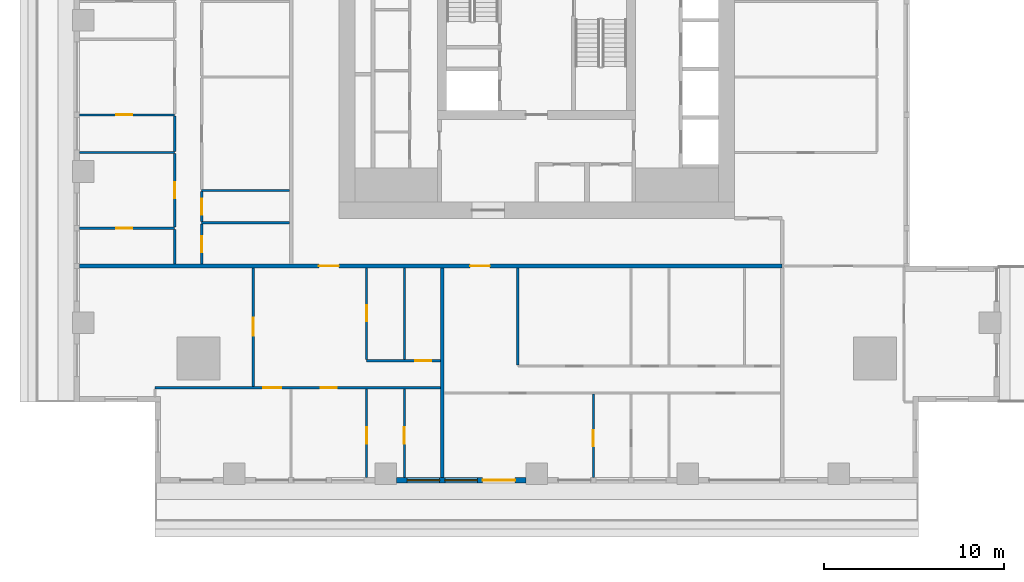
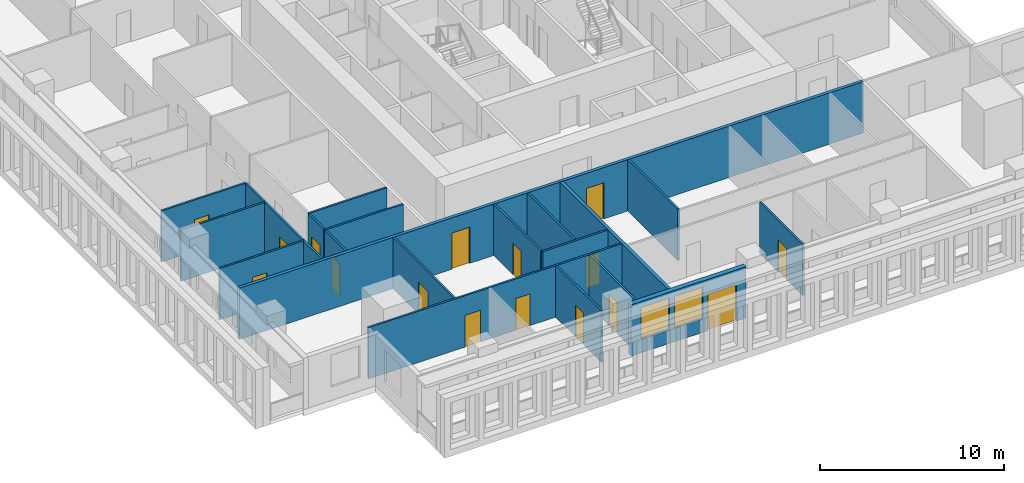
# One storey, part 2 of 15: 22 walls, 16 doors, 2 windows, 18 openings.
"""IFC4 building model written with IfcOpenShell, lengths in metres."""

from ifc_helpers import new_model, si_unit, direction, frame, frame_2d, origin, place, context, subcontext, project, spatial, rectangle, extrude, material, layer, layer_set, type_object, element, fill, save


model = new_model("IFC4")

# Units and contexts
model_context = context("Model", 3, precision=1e-05, world=origin(), true_north=direction((0.0, 1.0)))
body_context = subcontext(model_context, "Body", "Model", "MODEL_VIEW")
ifc_project = project(units=[si_unit("LENGTHUNIT", "METRE"), si_unit("AREAUNIT", "SQUARE_METRE"), si_unit("VOLUMEUNIT", "CUBIC_METRE"), si_unit("PLANEANGLEUNIT", "RADIAN"), si_unit("MASSUNIT", "GRAM", prefix="KILO")], contexts=[model_context])

# Site, building, storey
site_placement = place(None, origin())
site = spatial("IfcSite", under=ifc_project, at=site_placement, CompositionType="ELEMENT")
building_placement = place(site_placement, origin())
building = spatial("IfcBuilding", under=site, at=building_placement, Name="Khepri Terraces", CompositionType="ELEMENT")
storey_placement = place(building_placement, frame((0.0, 0.0, 231.300048828125)))
storey = spatial("IfcBuildingStorey", under=building, at=storey_placement, Name="L55", CompositionType="ELEMENT", Elevation=231.300048828125)

# Wall
ifc_material_1 = material(Name="Fire-rated gypsum plasterboard partition, mineral wool")
ifc_layer_1 = layer(ifc_material_1, 0.199951171875, Name="Fire-rated gypsum plasterboard partition, mineral wool")
ifc_layer_set_1 = layer_set([ifc_layer_1], Name="Fire-rated gypsum plasterboard partition, mineral wool")
wall_type_1 = type_object("IfcWallType", Name="WL-CORR-200", PredefinedType="PARTITIONING", material=ifc_layer_set_1)
wall_1_placement = place(storey_placement, frame((-5.25, -25.419921875, 0.0), z_axis=(0.0, 0.0, 1.0), x_axis=(0.0, 1.0, 0.0)))
element("IfcWall", 1, at=wall_1_placement, inside=storey, type_object=wall_type_1, Name="Partition P-004 L55", PredefinedType="PARTITIONING", context=body_context, shape_type="SweptSolid", body=[
    extrude(rectangle(XDim=11.669921875, YDim=0.199951171875, at=frame_2d((5.8349609375, 0.0))), origin(), (0.0, 0.0, 1.0), 3.39990234375),
])

# Wall, openings, doors
wall_2_placement = place(storey_placement, frame((-25.419921875, -13.64990234375, 0.0), z_axis=(0.0, 0.0, 1.0), x_axis=(1.0, 0.0, 0.0)))
wall_2 = element("IfcWall", 2, at=wall_2_placement, inside=storey, type_object=wall_type_1, Name="Partition P-024 L55", PredefinedType="PARTITIONING", context=body_context, shape_type="SweptSolid", body=[
    extrude(rectangle(XDim=39.06982421875, YDim=0.199951171875, at=frame_2d((19.534912109375, 0.0))), origin(), (0.0, 0.0, 1.0), 3.39990234375),
])
opening_1_placement = place(wall_2_placement, frame((13.320068359375, 0.0, 0.0)))
opening_1 = element("IfcOpeningElement", 3, at=opening_1_placement, cuts=wall_2, Name="Opening D1", PredefinedType="OPENING", context=body_context, shape_type="SweptSolid", body=[
    extrude(rectangle(XDim=1.10009765625, YDim=2.39990234375, at=frame_2d((0.550048828125, 1.199951171875))), frame((0.0, 0.10986328125, 0.0), z_axis=(0.0, -1.0, 0.0), x_axis=(1.0, 0.0, 0.0)), (0.0, 0.0, 1.0), 0.219970703125),
])
opening_2_placement = place(wall_2_placement, frame((21.719970703125, 0.0, 0.0)))
opening_2 = element("IfcOpeningElement", 4, at=opening_2_placement, cuts=wall_2, Name="Opening D1", PredefinedType="OPENING", context=body_context, shape_type="SweptSolid", body=[
    extrude(rectangle(XDim=1.10009765625, YDim=2.39990234375, at=frame_2d((0.550048828125, 1.199951171875))), frame((0.0, 0.10986328125, 0.0), z_axis=(0.0, -1.0, 0.0), x_axis=(1.0, 0.0, 0.0)), (0.0, 0.0, 1.0), 0.219970703125),
])
ifc_material_2 = material(Name="Solid-core timber door leaf, flat entrance door", Category="wood")
door_type_1 = type_object("IfcDoorType", Name="DR-ENT-1100", OperationType="NOTDEFINED", PredefinedType="DOOR", material=ifc_material_2)
door_1_placement = place(opening_1_placement, frame((1.10009765625, 0.0, 0.0), z_axis=(0.0, 0.0, 1.0), x_axis=(-1.0, 0.0, 0.0)))
door_1 = element("IfcDoor", 5, at=door_1_placement, inside=storey, type_object=door_type_1, Name="Flat A1 entrance door", OperationType="SINGLE_SWING_RIGHT", OverallHeight=2.39990234375, OverallWidth=1.10009765625, PredefinedType="DOOR", context=body_context, shape_type="SweptSolid", body=[
    extrude(rectangle(XDim=1.10009765625, YDim=2.39990234375, at=frame_2d((0.550048828125, 1.199951171875))), frame((0.0, 0.02490234375, 0.0), z_axis=(0.0, -1.0, 0.0), x_axis=(1.0, 0.0, 0.0)), (0.0, 0.0, 1.0), 0.050048828125),
])
fill(opening_1, door_1)
door_2_placement = place(opening_2_placement, frame((1.10009765625, 0.0, 0.0), z_axis=(0.0, 0.0, 1.0), x_axis=(-1.0, 0.0, 0.0)))
door_2 = element("IfcDoor", 6, at=door_2_placement, inside=storey, type_object=door_type_1, Name="Flat A2 entrance door", OperationType="SINGLE_SWING_LEFT", OverallHeight=2.39990234375, OverallWidth=1.10009765625, PredefinedType="DOOR", context=body_context, shape_type="SweptSolid", body=[
    extrude(rectangle(XDim=1.10009765625, YDim=2.39990234375, at=frame_2d((0.550048828125, 1.199951171875))), frame((0.0, 0.02490234375, 0.0), z_axis=(0.0, -1.0, 0.0), x_axis=(1.0, 0.0, 0.0)), (0.0, 0.0, 1.0), 0.050048828125),
])
fill(opening_2, door_2)

# Wall, openings, door, windows
ifc_material_3 = material(Name="Precast concrete C50/60 warm stone", Category="masonry")
ifc_layer_2 = layer(ifc_material_3, 0.300048828125, Name="Precast concrete C50/60 warm stone", Category="masonry")
ifc_layer_set_2 = layer_set([ifc_layer_2], Name="Precast concrete C50/60 warm stone")
wall_type_2 = type_object("IfcWallType", Name="WL-EXT-PRECAST-300", PredefinedType="STANDARD", material=ifc_layer_set_2)
wall_3_placement = place(storey_placement, frame((-7.800048828125, -25.570068359375, 0.0), z_axis=(0.0, 0.0, 1.0), x_axis=(1.0, 0.0, 0.0)))
wall_3 = element("IfcWall", 7, at=wall_3_placement, inside=storey, type_object=wall_type_2, Name="External wall L55 S", PredefinedType="STANDARD", context=body_context, shape_type="SweptSolid", body=[
    extrude(rectangle(XDim=7.199951171875, YDim=0.300048828125, at=frame_2d((3.60009765625, 0.0))), origin(), (0.0, 0.0, 1.0), 3.39990234375),
])
opening_3_placement = place(wall_3_placement, frame((0.60009765625, 0.0, 0.89990234375)))
opening_3 = element("IfcOpeningElement", 8, at=opening_3_placement, cuts=wall_3, Name="Opening W1", PredefinedType="OPENING", context=body_context, shape_type="SweptSolid", body=[
    extrude(rectangle(XDim=1.800048828125, YDim=2.10009765625, at=frame_2d((0.89990234375, 1.050048828125))), frame((0.0, 0.16015625, 0.0), z_axis=(0.0, -1.0, 0.0), x_axis=(1.0, 0.0, 0.0)), (0.0, 0.0, 1.0), 0.320068359375),
])
opening_4_placement = place(wall_3_placement, frame((2.699951171875, 0.0, 0.89990234375)))
opening_4 = element("IfcOpeningElement", 9, at=opening_4_placement, cuts=wall_3, Name="Opening W1", PredefinedType="OPENING", context=body_context, shape_type="SweptSolid", body=[
    extrude(rectangle(XDim=1.800048828125, YDim=2.10009765625, at=frame_2d((0.89990234375, 1.050048828125))), frame((0.0, 0.16015625, 0.0), z_axis=(0.0, -1.0, 0.0), x_axis=(1.0, 0.0, 0.0)), (0.0, 0.0, 1.0), 0.320068359375),
])
opening_5_placement = place(wall_3_placement, frame((4.800048828125, 0.0, 0.0)))
opening_5 = element("IfcOpeningElement", 10, at=opening_5_placement, cuts=wall_3, Name="Opening ED-L55-14", PredefinedType="OPENING", context=body_context, shape_type="SweptSolid", body=[
    extrude(rectangle(XDim=1.800048828125, YDim=2.39990234375, at=frame_2d((0.89990234375, 1.199951171875))), frame((0.0, 0.16015625, 0.0), z_axis=(0.0, -1.0, 0.0), x_axis=(1.0, 0.0, 0.0)), (0.0, 0.0, 1.0), 0.320068359375),
])
ifc_material_4 = material(Name="Anodised aluminium bronze glazed door", Category="aluminium")
door_type_2 = type_object("IfcDoorType", Name="DR-BAL-SLIDE-1800x2400", OperationType="NOTDEFINED", PredefinedType="DOOR", material=ifc_material_4)
door_3_placement = place(opening_5_placement, origin())
door_3 = element("IfcDoor", 11, at=door_3_placement, inside=storey, type_object=door_type_2, Name="Balcony door L55 S", OperationType="SLIDING_TO_RIGHT", OverallHeight=2.39990234375, OverallWidth=1.800048828125, PredefinedType="DOOR", context=body_context, shape_type="SweptSolid", body=[
    extrude(rectangle(XDim=1.800048828125, YDim=2.39990234375, at=frame_2d((0.89990234375, 1.199951171875))), frame((0.0, 0.02490234375, 0.0), z_axis=(0.0, -1.0, 0.0), x_axis=(1.0, 0.0, 0.0)), (0.0, 0.0, 1.0), 0.050048828125),
])
fill(opening_5, door_3)
ifc_material_5 = material(Name="Clear glass", Category="glass")
window_type = type_object("IfcWindowType", Name="WIN-RES-1800x2100", PartitioningType="SINGLE_PANEL", PredefinedType="WINDOW", material=ifc_material_5)
window_1_placement = place(opening_3_placement, origin())
window_1 = element("IfcWindow", 12, at=window_1_placement, inside=storey, type_object=window_type, Name="Window L55 S", OverallHeight=2.10009765625, OverallWidth=1.800048828125, PartitioningType="SINGLE_PANEL", PredefinedType="WINDOW", context=body_context, shape_type="SweptSolid", body=[
    extrude(rectangle(XDim=1.800048828125, YDim=2.10009765625, at=frame_2d((0.89990234375, 1.050048828125))), frame((0.0, 0.030029296875, 0.0), z_axis=(0.0, -1.0, 0.0), x_axis=(1.0, 0.0, 0.0)), (0.0, 0.0, 1.0), 0.06005859375),
])
fill(opening_3, window_1)
window_2_placement = place(opening_4_placement, origin())
window_2 = element("IfcWindow", 13, at=window_2_placement, inside=storey, type_object=window_type, Name="Window L55 S", OverallHeight=2.10009765625, OverallWidth=1.800048828125, PartitioningType="SINGLE_PANEL", PredefinedType="WINDOW", context=body_context, shape_type="SweptSolid", body=[
    extrude(rectangle(XDim=1.800048828125, YDim=2.10009765625, at=frame_2d((0.89990234375, 1.050048828125))), frame((0.0, 0.030029296875, 0.0), z_axis=(0.0, -1.0, 0.0), x_axis=(1.0, 0.0, 0.0)), (0.0, 0.0, 1.0), 0.06005859375),
])
fill(opening_4, window_2)

# Wall, opening, door
ifc_material_6 = material(Name="Gypsum plasterboard partition")
ifc_layer_3 = layer(ifc_material_6, 0.1201171875, Name="Gypsum plasterboard partition")
ifc_layer_set_3 = layer_set([ifc_layer_3], Name="Gypsum plasterboard partition")
wall_type_3 = type_object("IfcWallType", Name="WL-PART-120", PredefinedType="PARTITIONING", material=ifc_layer_set_3)
wall_4_placement = place(storey_placement, frame((-9.449951171875, -25.419921875, 0.0), z_axis=(0.0, 0.0, 1.0), x_axis=(0.0, 1.0, 0.0)))
wall_4 = element("IfcWall", 14, at=wall_4_placement, inside=storey, type_object=wall_type_3, Name="Partition P-002 L55", PredefinedType="PARTITIONING", context=body_context, shape_type="SweptSolid", body=[
    extrude(rectangle(XDim=4.93994140625, YDim=0.1201171875, at=frame_2d((2.469970703125, 0.0))), origin(), (0.0, 0.0, 1.0), 3.39990234375),
])
opening_6_placement = place(wall_4_placement, frame((1.89990234375, 0.0, 0.0)))
opening_6 = element("IfcOpeningElement", 15, at=opening_6_placement, cuts=wall_4, Name="Opening D3", PredefinedType="OPENING", context=body_context, shape_type="SweptSolid", body=[
    extrude(rectangle(XDim=0.89990234375, YDim=2.10009765625, at=frame_2d((0.449951171875, 1.050048828125))), frame((0.0, 0.070068359375, 0.0), z_axis=(0.0, -1.0, 0.0), x_axis=(1.0, 0.0, 0.0)), (0.0, 0.0, 1.0), 0.14013671875),
])
ifc_material_7 = material(Name="Timber door leaf", Category="wood")
door_type_3 = type_object("IfcDoorType", Name="DR-INT-900", OperationType="NOTDEFINED", PredefinedType="DOOR", material=ifc_material_7)
door_4_placement = place(opening_6_placement, frame((0.89990234375, 0.0, 0.0), z_axis=(0.0, 0.0, 1.0), x_axis=(-1.0, 0.0, 0.0)))
door_4 = element("IfcDoor", 16, at=door_4_placement, inside=storey, type_object=door_type_3, Name="Door Dressing Room", OperationType="SINGLE_SWING_RIGHT", OverallHeight=2.10009765625, OverallWidth=0.89990234375, PredefinedType="DOOR", context=body_context, shape_type="SweptSolid", body=[
    extrude(rectangle(XDim=0.89990234375, YDim=2.10009765625, at=frame_2d((0.449951171875, 1.050048828125))), frame((0.0, 0.02490234375, 0.0), z_axis=(0.0, -1.0, 0.0), x_axis=(1.0, 0.0, 0.0)), (0.0, 0.0, 1.0), 0.050048828125),
])
fill(opening_6, door_4)

wall_5_placement = place(storey_placement, frame((-7.35009765625, -25.419921875, 0.0), z_axis=(0.0, 0.0, 1.0), x_axis=(0.0, 1.0, 0.0)))
wall_5 = element("IfcWall", 17, at=wall_5_placement, inside=storey, type_object=wall_type_3, Name="Partition P-003 L55", PredefinedType="PARTITIONING", context=body_context, shape_type="SweptSolid", body=[
    extrude(rectangle(XDim=4.93994140625, YDim=0.1201171875, at=frame_2d((2.469970703125, 0.0))), origin(), (0.0, 0.0, 1.0), 3.39990234375),
])
opening_7_placement = place(wall_5_placement, frame((1.89990234375, 0.0, 0.0)))
opening_7 = element("IfcOpeningElement", 18, at=opening_7_placement, cuts=wall_5, Name="Opening D4", PredefinedType="OPENING", context=body_context, shape_type="SweptSolid", body=[
    extrude(rectangle(XDim=0.89990234375, YDim=2.10009765625, at=frame_2d((0.449951171875, 1.050048828125))), frame((0.0, 0.070068359375, 0.0), z_axis=(0.0, -1.0, 0.0), x_axis=(1.0, 0.0, 0.0)), (0.0, 0.0, 1.0), 0.14013671875),
])
ifc_material_8 = material(Name="Timber door leaf, moisture resistant", Category="wood")
door_type_4 = type_object("IfcDoorType", Name="DR-WET-900", OperationType="NOTDEFINED", PredefinedType="DOOR", material=ifc_material_8)
door_5_placement = place(opening_7_placement, frame((0.89990234375, 0.0, 0.0), z_axis=(0.0, 0.0, 1.0), x_axis=(-1.0, 0.0, 0.0)))
door_5 = element("IfcDoor", 19, at=door_5_placement, inside=storey, type_object=door_type_4, Name="Door Bathroom", OperationType="SINGLE_SWING_RIGHT", OverallHeight=2.10009765625, OverallWidth=0.89990234375, PredefinedType="DOOR", context=body_context, shape_type="SweptSolid", body=[
    extrude(rectangle(XDim=0.89990234375, YDim=2.10009765625, at=frame_2d((0.449951171875, 1.050048828125))), frame((0.0, 0.02490234375, 0.0), z_axis=(0.0, -1.0, 0.0), x_axis=(1.0, 0.0, 0.0)), (0.0, 0.0, 1.0), 0.050048828125),
])
fill(opening_7, door_5)

wall_6_placement = place(storey_placement, frame((3.14990234375, -25.419921875, 0.0), z_axis=(0.0, 0.0, 1.0), x_axis=(0.0, 1.0, 0.0)))
wall_6 = element("IfcWall", 20, at=wall_6_placement, inside=storey, type_object=wall_type_3, Name="Partition P-005 L55", PredefinedType="PARTITIONING", context=body_context, shape_type="SweptSolid", body=[
    extrude(rectangle(XDim=4.639892578125, YDim=0.1201171875, at=frame_2d((2.31982421875, 0.0))), origin(), (0.0, 0.0, 1.0), 3.39990234375),
])
opening_8_placement = place(wall_6_placement, frame((1.75, 0.0, 0.0)))
opening_8 = element("IfcOpeningElement", 21, at=opening_8_placement, cuts=wall_6, Name="Opening D3", PredefinedType="OPENING", context=body_context, shape_type="SweptSolid", body=[
    extrude(rectangle(XDim=0.89990234375, YDim=2.10009765625, at=frame_2d((0.449951171875, 1.050048828125))), frame((0.0, 0.070068359375, 0.0), z_axis=(0.0, -1.0, 0.0), x_axis=(1.0, 0.0, 0.0)), (0.0, 0.0, 1.0), 0.14013671875),
])
door_6_placement = place(opening_8_placement, frame((0.89990234375, 0.0, 0.0), z_axis=(0.0, 0.0, 1.0), x_axis=(-1.0, 0.0, 0.0)))
door_6 = element("IfcDoor", 22, at=door_6_placement, inside=storey, type_object=door_type_3, Name="Door Dressing Room", OperationType="SINGLE_SWING_RIGHT", OverallHeight=2.10009765625, OverallWidth=0.89990234375, PredefinedType="DOOR", context=body_context, shape_type="SweptSolid", body=[
    extrude(rectangle(XDim=0.89990234375, YDim=2.10009765625, at=frame_2d((0.449951171875, 1.050048828125))), frame((0.0, 0.02490234375, 0.0), z_axis=(0.0, -1.0, 0.0), x_axis=(1.0, 0.0, 0.0)), (0.0, 0.0, 1.0), 0.050048828125),
])
fill(opening_8, door_6)

# Wall, openings, doors
wall_7_placement = place(storey_placement, frame((-21.218994140625, -20.419921875, 0.0), z_axis=(0.0, 0.0, 1.0), x_axis=(1.0, 0.0, 0.0)))
wall_7 = element("IfcWall", 23, at=wall_7_placement, inside=storey, type_object=wall_type_3, Name="Partition P-013 L55", PredefinedType="PARTITIONING", context=body_context, shape_type="SweptSolid", body=[
    extrude(rectangle(XDim=15.868896484375, YDim=0.1201171875, at=frame_2d((7.9345703125, 0.0))), origin(), (0.0, 0.0, 1.0), 3.39990234375),
])
opening_9_placement = place(wall_7_placement, frame((6.01904296875, 0.0, 0.0)))
opening_9 = element("IfcOpeningElement", 24, at=opening_9_placement, cuts=wall_7, Name="Opening D2", PredefinedType="OPENING", context=body_context, shape_type="SweptSolid", body=[
    extrude(rectangle(XDim=1.0, YDim=2.10009765625, at=frame_2d((0.5, 1.050048828125))), frame((0.0, 0.070068359375, 0.0), z_axis=(0.0, -1.0, 0.0), x_axis=(1.0, 0.0, 0.0)), (0.0, 0.0, 1.0), 0.14013671875),
])
opening_10_placement = place(wall_7_placement, frame((9.218994140625, 0.0, 0.0)))
opening_10 = element("IfcOpeningElement", 25, at=opening_10_placement, cuts=wall_7, Name="Opening D3", PredefinedType="OPENING", context=body_context, shape_type="SweptSolid", body=[
    extrude(rectangle(XDim=0.89990234375, YDim=2.10009765625, at=frame_2d((0.449951171875, 1.050048828125))), frame((0.0, 0.070068359375, 0.0), z_axis=(0.0, -1.0, 0.0), x_axis=(1.0, 0.0, 0.0)), (0.0, 0.0, 1.0), 0.14013671875),
])
ifc_material_9 = material(Name="Timber door leaf, living room door", Category="wood")
door_type_5 = type_object("IfcDoorType", Name="DR-INT-1000", OperationType="NOTDEFINED", PredefinedType="DOOR", material=ifc_material_9)
door_7_placement = place(opening_9_placement, frame((1.0, 0.0, 0.0), z_axis=(0.0, 0.0, 1.0), x_axis=(-1.0, 0.0, 0.0)))
door_7 = element("IfcDoor", 26, at=door_7_placement, inside=storey, type_object=door_type_5, Name="Door Living Room", OperationType="SINGLE_SWING_RIGHT", OverallHeight=2.10009765625, OverallWidth=1.0, PredefinedType="DOOR", context=body_context, shape_type="SweptSolid", body=[
    extrude(rectangle(XDim=1.0, YDim=2.10009765625, at=frame_2d((0.5, 1.050048828125))), frame((0.0, 0.02490234375, 0.0), z_axis=(0.0, -1.0, 0.0), x_axis=(1.0, 0.0, 0.0)), (0.0, 0.0, 1.0), 0.050048828125),
])
fill(opening_9, door_7)
door_8_placement = place(opening_10_placement, frame((0.89990234375, 0.0, 0.0), z_axis=(0.0, 0.0, 1.0), x_axis=(-1.0, 0.0, 0.0)))
door_8 = element("IfcDoor", 27, at=door_8_placement, inside=storey, type_object=door_type_3, Name="Door Master Bedroom", OperationType="SINGLE_SWING_LEFT", OverallHeight=2.10009765625, OverallWidth=0.89990234375, PredefinedType="DOOR", context=body_context, shape_type="SweptSolid", body=[
    extrude(rectangle(XDim=0.89990234375, YDim=2.10009765625, at=frame_2d((0.449951171875, 1.050048828125))), frame((0.0, 0.02490234375, 0.0), z_axis=(0.0, -1.0, 0.0), x_axis=(1.0, 0.0, 0.0)), (0.0, 0.0, 1.0), 0.050048828125),
])
fill(opening_10, door_8)

# Wall, opening, door
wall_8_placement = place(storey_placement, frame((-15.75, -20.360107421875, 0.0), z_axis=(0.0, 0.0, 1.0), x_axis=(0.0, 1.0, 0.0)))
wall_8 = element("IfcWall", 28, at=wall_8_placement, inside=storey, type_object=wall_type_3, Name="Partition P-014 L55", PredefinedType="PARTITIONING", context=body_context, shape_type="SweptSolid", body=[
    extrude(rectangle(XDim=6.610107421875, YDim=0.1201171875, at=frame_2d((3.30517578125, 0.0))), origin(), (0.0, 0.0, 1.0), 3.39990234375),
])
opening_11_placement = place(wall_8_placement, frame((2.824951171875, 0.0, 0.0)))
opening_11 = element("IfcOpeningElement", 29, at=opening_11_placement, cuts=wall_8, Name="Opening D2", PredefinedType="OPENING", context=body_context, shape_type="SweptSolid", body=[
    extrude(rectangle(XDim=1.0, YDim=2.10009765625, at=frame_2d((0.5, 1.050048828125))), frame((0.0, 0.070068359375, 0.0), z_axis=(0.0, -1.0, 0.0), x_axis=(1.0, 0.0, 0.0)), (0.0, 0.0, 1.0), 0.14013671875),
])
door_9_placement = place(opening_11_placement, origin())
door_9 = element("IfcDoor", 30, at=door_9_placement, inside=storey, type_object=door_type_5, Name="Door Family Room", OperationType="SINGLE_SWING_RIGHT", OverallHeight=2.10009765625, OverallWidth=1.0, PredefinedType="DOOR", context=body_context, shape_type="SweptSolid", body=[
    extrude(rectangle(XDim=1.0, YDim=2.10009765625, at=frame_2d((0.5, 1.050048828125))), frame((0.0, 0.02490234375, 0.0), z_axis=(0.0, -1.0, 0.0), x_axis=(1.0, 0.0, 0.0)), (0.0, 0.0, 1.0), 0.050048828125),
])
fill(opening_11, door_9)

# Wall
wall_9_placement = place(storey_placement, frame((-1.050048828125, -19.159912109375, 0.0), z_axis=(0.0, 0.0, 1.0), x_axis=(0.0, 1.0, 0.0)))
element("IfcWall", 31, at=wall_9_placement, inside=storey, type_object=wall_type_3, Name="Partition P-016 L55", PredefinedType="PARTITIONING", context=body_context, shape_type="SweptSolid", body=[
    extrude(rectangle(XDim=5.409912109375, YDim=0.1201171875, at=frame_2d((2.705078125, 0.0))), origin(), (0.0, 0.0, 1.0), 3.39990234375),
])

# Wall, opening, door
wall_10_placement = place(storey_placement, frame((-9.449951171875, -18.919921875, 0.0), z_axis=(0.0, 0.0, 1.0), x_axis=(1.0, 0.0, 0.0)))
wall_10 = element("IfcWall", 32, at=wall_10_placement, inside=storey, type_object=wall_type_3, Name="Partition P-020 L55", PredefinedType="PARTITIONING", context=body_context, shape_type="SweptSolid", body=[
    extrude(rectangle(XDim=4.099853515625, YDim=0.1201171875, at=frame_2d((2.0498046875, 0.0))), origin(), (0.0, 0.0, 1.0), 3.39990234375),
])
opening_12_placement = place(wall_10_placement, frame((2.699951171875, 0.0, 0.0)))
opening_12 = element("IfcOpeningElement", 33, at=opening_12_placement, cuts=wall_10, Name="Opening D3", PredefinedType="OPENING", context=body_context, shape_type="SweptSolid", body=[
    extrude(rectangle(XDim=0.89990234375, YDim=2.10009765625, at=frame_2d((0.449951171875, 1.050048828125))), frame((0.0, 0.070068359375, 0.0), z_axis=(0.0, -1.0, 0.0), x_axis=(1.0, 0.0, 0.0)), (0.0, 0.0, 1.0), 0.14013671875),
])
door_10_placement = place(opening_12_placement, origin())
door_10 = element("IfcDoor", 34, at=door_10_placement, inside=storey, type_object=door_type_3, Name="Door Kitchen", OperationType="SINGLE_SWING_RIGHT", OverallHeight=2.10009765625, OverallWidth=0.89990234375, PredefinedType="DOOR", context=body_context, shape_type="SweptSolid", body=[
    extrude(rectangle(XDim=0.89990234375, YDim=2.10009765625, at=frame_2d((0.449951171875, 1.050048828125))), frame((0.0, 0.02490234375, 0.0), z_axis=(0.0, -1.0, 0.0), x_axis=(1.0, 0.0, 0.0)), (0.0, 0.0, 1.0), 0.050048828125),
])
fill(opening_12, door_10)

wall_11_placement = place(storey_placement, frame((-9.449951171875, -18.860107421875, 0.0), z_axis=(0.0, 0.0, 1.0), x_axis=(0.0, 1.0, 0.0)))
wall_11 = element("IfcWall", 35, at=wall_11_placement, inside=storey, type_object=wall_type_3, Name="Partition P-021 L55", PredefinedType="PARTITIONING", context=body_context, shape_type="SweptSolid", body=[
    extrude(rectangle(XDim=5.110107421875, YDim=0.1201171875, at=frame_2d((2.55517578125, 0.0))), origin(), (0.0, 0.0, 1.0), 3.39990234375),
])
opening_13_placement = place(wall_11_placement, frame((2.125, 0.0, 0.0)))
opening_13 = element("IfcOpeningElement", 36, at=opening_13_placement, cuts=wall_11, Name="Opening D4", PredefinedType="OPENING", context=body_context, shape_type="SweptSolid", body=[
    extrude(rectangle(XDim=0.89990234375, YDim=2.10009765625, at=frame_2d((0.449951171875, 1.050048828125))), frame((0.0, 0.070068359375, 0.0), z_axis=(0.0, -1.0, 0.0), x_axis=(1.0, 0.0, 0.0)), (0.0, 0.0, 1.0), 0.14013671875),
])
door_11_placement = place(opening_13_placement, frame((0.89990234375, 0.0, 0.0), z_axis=(0.0, 0.0, 1.0), x_axis=(-1.0, 0.0, 0.0)))
door_11 = element("IfcDoor", 37, at=door_11_placement, inside=storey, type_object=door_type_4, Name="Door Guest Bathroom", OperationType="SINGLE_SWING_LEFT", OverallHeight=2.10009765625, OverallWidth=0.89990234375, PredefinedType="DOOR", context=body_context, shape_type="SweptSolid", body=[
    extrude(rectangle(XDim=0.89990234375, YDim=2.10009765625, at=frame_2d((0.449951171875, 1.050048828125))), frame((0.0, 0.02490234375, 0.0), z_axis=(0.0, -1.0, 0.0), x_axis=(1.0, 0.0, 0.0)), (0.0, 0.0, 1.0), 0.050048828125),
])
fill(opening_13, door_11)

# Walls
wall_12_placement = place(storey_placement, frame((-7.35009765625, -18.860107421875, 0.0), z_axis=(0.0, 0.0, 1.0), x_axis=(0.0, 1.0, 0.0)))
element("IfcWall", 38, at=wall_12_placement, inside=storey, type_object=wall_type_3, Name="Partition P-022 L55", PredefinedType="PARTITIONING", context=body_context, shape_type="SweptSolid", body=[
    extrude(rectangle(XDim=5.110107421875, YDim=0.1201171875, at=frame_2d((2.55517578125, 0.0))), origin(), (0.0, 0.0, 1.0), 3.39990234375),
])
wall_13_placement = place(storey_placement, frame((-20.1201171875, -13.550048828125, 0.0), z_axis=(0.0, 0.0, 1.0), x_axis=(0.0, 1.0, 0.0)))
element("IfcWall", 39, at=wall_13_placement, inside=storey, type_object=wall_type_3, Name="Partition P-026 L55", PredefinedType="PARTITIONING", context=body_context, shape_type="SweptSolid", body=[
    extrude(rectangle(XDim=1.93994140625, YDim=0.1201171875, at=frame_2d((0.969970703125, 0.0))), origin(), (0.0, 0.0, 1.0), 3.39990234375),
])

# Wall, opening, door
wall_14_placement = place(storey_placement, frame((-18.6201171875, -13.550048828125, 0.0), z_axis=(0.0, 0.0, 1.0), x_axis=(0.0, 1.0, 0.0)))
wall_14 = element("IfcWall", 40, at=wall_14_placement, inside=storey, type_object=wall_type_3, Name="Partition P-027 L55", PredefinedType="PARTITIONING", context=body_context, shape_type="SweptSolid", body=[
    extrude(rectangle(XDim=2.239990234375, YDim=0.1201171875, at=frame_2d((1.1201171875, 0.0))), origin(), (0.0, 0.0, 1.0), 3.39990234375),
])
opening_14_placement = place(wall_14_placement, frame((0.64990234375, 0.0, 0.0)))
opening_14 = element("IfcOpeningElement", 41, at=opening_14_placement, cuts=wall_14, Name="Opening D4", PredefinedType="OPENING", context=body_context, shape_type="SweptSolid", body=[
    extrude(rectangle(XDim=0.89990234375, YDim=2.10009765625, at=frame_2d((0.449951171875, 1.050048828125))), frame((0.0, 0.070068359375, 0.0), z_axis=(0.0, -1.0, 0.0), x_axis=(1.0, 0.0, 0.0)), (0.0, 0.0, 1.0), 0.14013671875),
])
door_12_placement = place(opening_14_placement, frame((0.89990234375, 0.0, 0.0), z_axis=(0.0, 0.0, 1.0), x_axis=(-1.0, 0.0, 0.0)))
door_12 = element("IfcDoor", 42, at=door_12_placement, inside=storey, type_object=door_type_4, Name="Door Guest Bathroom", OperationType="SINGLE_SWING_RIGHT", OverallHeight=2.10009765625, OverallWidth=0.89990234375, PredefinedType="DOOR", context=body_context, shape_type="SweptSolid", body=[
    extrude(rectangle(XDim=0.89990234375, YDim=2.10009765625, at=frame_2d((0.449951171875, 1.050048828125))), frame((0.0, 0.02490234375, 0.0), z_axis=(0.0, -1.0, 0.0), x_axis=(1.0, 0.0, 0.0)), (0.0, 0.0, 1.0), 0.050048828125),
])
fill(opening_14, door_12)

wall_15_placement = place(storey_placement, frame((-25.419921875, -11.550048828125, 0.0), z_axis=(0.0, 0.0, 1.0), x_axis=(1.0, 0.0, 0.0)))
wall_15 = element("IfcWall", 43, at=wall_15_placement, inside=storey, type_object=wall_type_3, Name="Partition P-030 L55", PredefinedType="PARTITIONING", context=body_context, shape_type="SweptSolid", body=[
    extrude(rectangle(XDim=5.2998046875, YDim=0.1201171875, at=frame_2d((2.64990234375, 0.0))), origin(), (0.0, 0.0, 1.0), 3.39990234375),
])
opening_15_placement = place(wall_15_placement, frame((2.050048828125, 0.0, 0.0)))
opening_15 = element("IfcOpeningElement", 44, at=opening_15_placement, cuts=wall_15, Name="Opening D4", PredefinedType="OPENING", context=body_context, shape_type="SweptSolid", body=[
    extrude(rectangle(XDim=0.89990234375, YDim=2.10009765625, at=frame_2d((0.449951171875, 1.050048828125))), frame((0.0, 0.070068359375, 0.0), z_axis=(0.0, -1.0, 0.0), x_axis=(1.0, 0.0, 0.0)), (0.0, 0.0, 1.0), 0.14013671875),
])
door_13_placement = place(opening_15_placement, frame((0.89990234375, 0.0, 0.0), z_axis=(0.0, 0.0, 1.0), x_axis=(-1.0, 0.0, 0.0)))
door_13 = element("IfcDoor", 45, at=door_13_placement, inside=storey, type_object=door_type_4, Name="Door Bathroom", OperationType="SINGLE_SWING_RIGHT", OverallHeight=2.10009765625, OverallWidth=0.89990234375, PredefinedType="DOOR", context=body_context, shape_type="SweptSolid", body=[
    extrude(rectangle(XDim=0.89990234375, YDim=2.10009765625, at=frame_2d((0.449951171875, 1.050048828125))), frame((0.0, 0.02490234375, 0.0), z_axis=(0.0, -1.0, 0.0), x_axis=(1.0, 0.0, 0.0)), (0.0, 0.0, 1.0), 0.050048828125),
])
fill(opening_15, door_13)

wall_16_placement = place(storey_placement, frame((-20.1201171875, -11.489990234375, 0.0), z_axis=(0.0, 0.0, 1.0), x_axis=(0.0, 1.0, 0.0)))
wall_16 = element("IfcWall", 46, at=wall_16_placement, inside=storey, type_object=wall_type_3, Name="Partition P-031 L55", PredefinedType="PARTITIONING", context=body_context, shape_type="SweptSolid", body=[
    extrude(rectangle(XDim=4.080078125, YDim=0.1201171875, at=frame_2d((2.0400390625, 0.0))), origin(), (0.0, 0.0, 1.0), 3.39990234375),
])
opening_16_placement = place(wall_16_placement, frame((1.590087890625, 0.0, 0.0)))
opening_16 = element("IfcOpeningElement", 47, at=opening_16_placement, cuts=wall_16, Name="Opening D3", PredefinedType="OPENING", context=body_context, shape_type="SweptSolid", body=[
    extrude(rectangle(XDim=0.89990234375, YDim=2.10009765625, at=frame_2d((0.449951171875, 1.050048828125))), frame((0.0, 0.070068359375, 0.0), z_axis=(0.0, -1.0, 0.0), x_axis=(1.0, 0.0, 0.0)), (0.0, 0.0, 1.0), 0.14013671875),
])
door_14_placement = place(opening_16_placement, origin())
door_14 = element("IfcDoor", 48, at=door_14_placement, inside=storey, type_object=door_type_3, Name="Door Bedroom", OperationType="SINGLE_SWING_RIGHT", OverallHeight=2.10009765625, OverallWidth=0.89990234375, PredefinedType="DOOR", context=body_context, shape_type="SweptSolid", body=[
    extrude(rectangle(XDim=0.89990234375, YDim=2.10009765625, at=frame_2d((0.449951171875, 1.050048828125))), frame((0.0, 0.02490234375, 0.0), z_axis=(0.0, -1.0, 0.0), x_axis=(1.0, 0.0, 0.0)), (0.0, 0.0, 1.0), 0.050048828125),
])
fill(opening_16, door_14)

# Wall
wall_17_placement = place(storey_placement, frame((-18.6201171875, -11.25, 0.0), z_axis=(0.0, 0.0, 1.0), x_axis=(1.0, 0.0, 0.0)))
element("IfcWall", 49, at=wall_17_placement, inside=storey, type_object=wall_type_3, Name="Partition P-032 L55", PredefinedType="PARTITIONING", context=body_context, shape_type="SweptSolid", body=[
    extrude(rectangle(XDim=4.8701171875, YDim=0.1201171875, at=frame_2d((2.43505859375, 0.0))), origin(), (0.0, 0.0, 1.0), 3.39990234375),
])

# Wall, opening, door
wall_18_placement = place(storey_placement, frame((-18.6201171875, -11.18994140625, 0.0), z_axis=(0.0, 0.0, 1.0), x_axis=(0.0, 1.0, 0.0)))
wall_18 = element("IfcWall", 50, at=wall_18_placement, inside=storey, type_object=wall_type_3, Name="Partition P-033 L55", PredefinedType="PARTITIONING", context=body_context, shape_type="SweptSolid", body=[
    extrude(rectangle(XDim=1.679931640625, YDim=0.1201171875, at=frame_2d((0.83984375, 0.0))), origin(), (0.0, 0.0, 1.0), 3.39990234375),
])
opening_17_placement = place(wall_18_placement, frame((0.389892578125, 0.0, 0.0)))
opening_17 = element("IfcOpeningElement", 51, at=opening_17_placement, cuts=wall_18, Name="Opening D4", PredefinedType="OPENING", context=body_context, shape_type="SweptSolid", body=[
    extrude(rectangle(XDim=0.89990234375, YDim=2.10009765625, at=frame_2d((0.449951171875, 1.050048828125))), frame((0.0, 0.070068359375, 0.0), z_axis=(0.0, -1.0, 0.0), x_axis=(1.0, 0.0, 0.0)), (0.0, 0.0, 1.0), 0.14013671875),
])
door_15_placement = place(opening_17_placement, frame((0.89990234375, 0.0, 0.0), z_axis=(0.0, 0.0, 1.0), x_axis=(-1.0, 0.0, 0.0)))
door_15 = element("IfcDoor", 52, at=door_15_placement, inside=storey, type_object=door_type_4, Name="Door Powder Room", OperationType="SINGLE_SWING_LEFT", OverallHeight=2.10009765625, OverallWidth=0.89990234375, PredefinedType="DOOR", context=body_context, shape_type="SweptSolid", body=[
    extrude(rectangle(XDim=0.89990234375, YDim=2.10009765625, at=frame_2d((0.449951171875, 1.050048828125))), frame((0.0, 0.02490234375, 0.0), z_axis=(0.0, -1.0, 0.0), x_axis=(1.0, 0.0, 0.0)), (0.0, 0.0, 1.0), 0.050048828125),
])
fill(opening_17, door_15)

# Walls
wall_19_placement = place(storey_placement, frame((-18.6201171875, -9.449951171875, 0.0), z_axis=(0.0, 0.0, 1.0), x_axis=(1.0, 0.0, 0.0)))
element("IfcWall", 53, at=wall_19_placement, inside=storey, type_object=wall_type_3, Name="Partition P-035 L55", PredefinedType="PARTITIONING", context=body_context, shape_type="SweptSolid", body=[
    extrude(rectangle(XDim=4.8701171875, YDim=0.1201171875, at=frame_2d((2.43505859375, 0.0))), origin(), (0.0, 0.0, 1.0), 3.39990234375),
])
wall_20_placement = place(storey_placement, frame((-25.419921875, -7.35009765625, 0.0), z_axis=(0.0, 0.0, 1.0), x_axis=(1.0, 0.0, 0.0)))
element("IfcWall", 54, at=wall_20_placement, inside=storey, type_object=wall_type_3, Name="Partition P-037 L55", PredefinedType="PARTITIONING", context=body_context, shape_type="SweptSolid", body=[
    extrude(rectangle(XDim=5.2998046875, YDim=0.1201171875, at=frame_2d((2.64990234375, 0.0))), origin(), (0.0, 0.0, 1.0), 3.39990234375),
])
wall_21_placement = place(storey_placement, frame((-20.1201171875, -7.2900390625, 0.0), z_axis=(0.0, 0.0, 1.0), x_axis=(0.0, 1.0, 0.0)))
element("IfcWall", 55, at=wall_21_placement, inside=storey, type_object=wall_type_3, Name="Partition P-039 L55", PredefinedType="PARTITIONING", context=body_context, shape_type="SweptSolid", body=[
    extrude(rectangle(XDim=1.97998046875, YDim=0.1201171875, at=frame_2d((0.989990234375, 0.0))), origin(), (0.0, 0.0, 1.0), 3.39990234375),
])

# Wall, opening, door
wall_22_placement = place(storey_placement, frame((-25.419921875, -5.25, 0.0), z_axis=(0.0, 0.0, 1.0), x_axis=(1.0, 0.0, 0.0)))
wall_22 = element("IfcWall", 56, at=wall_22_placement, inside=storey, type_object=wall_type_3, Name="Partition P-041 L55", PredefinedType="PARTITIONING", context=body_context, shape_type="SweptSolid", body=[
    extrude(rectangle(XDim=5.2998046875, YDim=0.1201171875, at=frame_2d((2.64990234375, 0.0))), origin(), (0.0, 0.0, 1.0), 3.39990234375),
])
opening_18_placement = place(wall_22_placement, frame((2.050048828125, 0.0, 0.0)))
opening_18 = element("IfcOpeningElement", 57, at=opening_18_placement, cuts=wall_22, Name="Opening D4", PredefinedType="OPENING", context=body_context, shape_type="SweptSolid", body=[
    extrude(rectangle(XDim=0.89990234375, YDim=2.10009765625, at=frame_2d((0.449951171875, 1.050048828125))), frame((0.0, 0.070068359375, 0.0), z_axis=(0.0, -1.0, 0.0), x_axis=(1.0, 0.0, 0.0)), (0.0, 0.0, 1.0), 0.14013671875),
])
door_16_placement = place(opening_18_placement, frame((0.89990234375, 0.0, 0.0), z_axis=(0.0, 0.0, 1.0), x_axis=(-1.0, 0.0, 0.0)))
door_16 = element("IfcDoor", 58, at=door_16_placement, inside=storey, type_object=door_type_4, Name="Door Bathroom", OperationType="SINGLE_SWING_RIGHT", OverallHeight=2.10009765625, OverallWidth=0.89990234375, PredefinedType="DOOR", context=body_context, shape_type="SweptSolid", body=[
    extrude(rectangle(XDim=0.89990234375, YDim=2.10009765625, at=frame_2d((0.449951171875, 1.050048828125))), frame((0.0, 0.02490234375, 0.0), z_axis=(0.0, -1.0, 0.0), x_axis=(1.0, 0.0, 0.0)), (0.0, 0.0, 1.0), 0.050048828125),
])
fill(opening_18, door_16)

save(model, "model.ifc")
